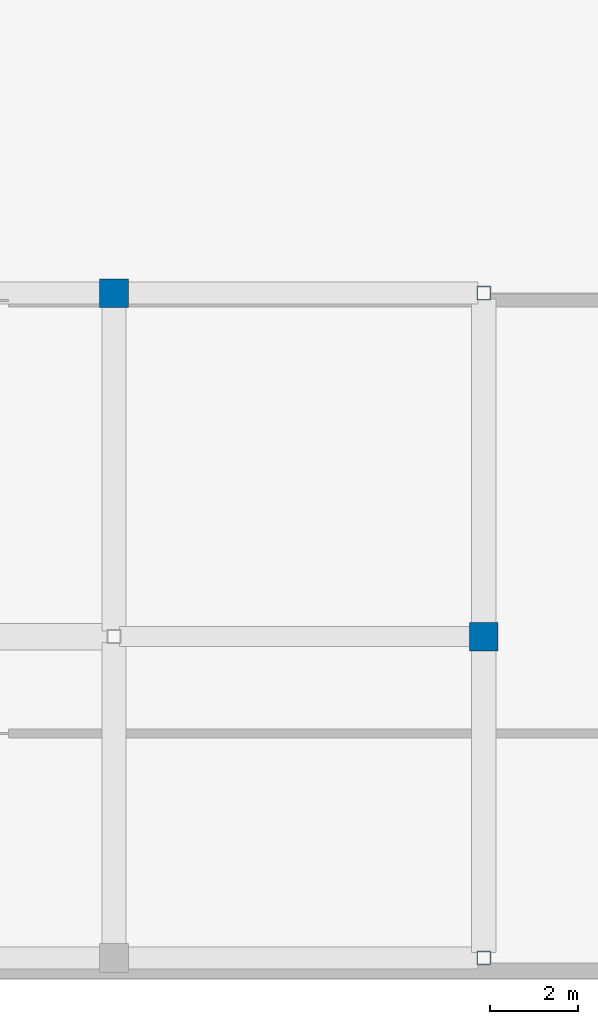
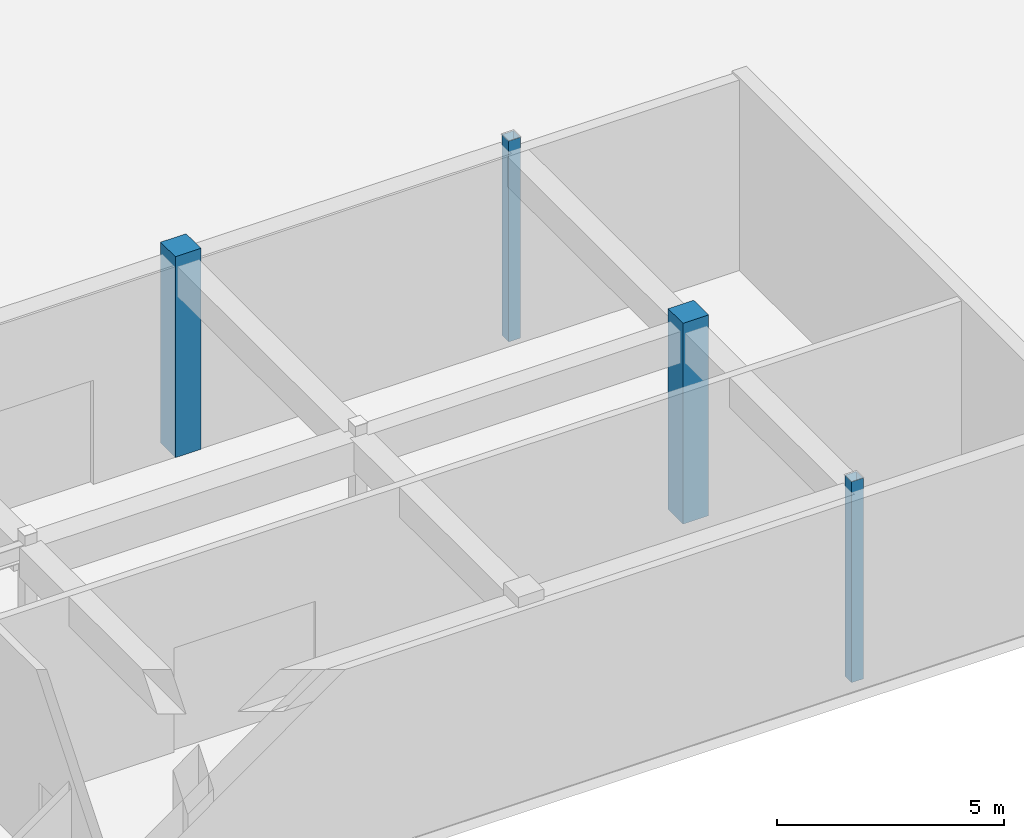
# One storey, part 5 of 148: 4 columns.
"""IFC4 building model written with IfcOpenShell, lengths in metres."""

from ifc_helpers import new_model, si_unit, direction, frame, origin, origin_2d, place, context, subcontext, project, spatial, rectangle, hollow_rectangle, extrude, material, material_profile, profile_set, type_object, element, save


model = new_model("IFC4")

# Units and contexts
model_context = context("Model", 3, precision=1e-05, world=origin(), true_north=direction((0.0, 1.0)))
body_context = subcontext(model_context, "Body", "Model", "MODEL_VIEW")
ifc_project = project(units=[si_unit("LENGTHUNIT", "METRE"), si_unit("AREAUNIT", "SQUARE_METRE"), si_unit("VOLUMEUNIT", "CUBIC_METRE"), si_unit("PLANEANGLEUNIT", "RADIAN"), si_unit("MASSUNIT", "GRAM", prefix="KILO")], contexts=[model_context])

# Site, building, storey
site_placement = place(None, origin())
site = spatial("IfcSite", under=ifc_project, at=site_placement, CompositionType="ELEMENT")
building_placement = place(site_placement, origin())
building = spatial("IfcBuilding", under=site, at=building_placement, Name="Quendrovan Civic Courthouse", CompositionType="ELEMENT")
storey_placement = place(building_placement, origin())
storey = spatial("IfcBuildingStorey", under=building, at=storey_placement, Name="L01", CompositionType="ELEMENT", Elevation=0.0)

# Columns
ifc_material_1 = material(Name="Concrete C45/55", Category="concrete")
ifc_material_profile_1 = material_profile(ifc_material_1, rectangle(XDim=0.64990234375, YDim=0.64990234375, at=origin_2d()), Name="RC-COL-650x650")
ifc_profile_set_1 = profile_set([ifc_material_profile_1], Name="Concrete C45/55")
column_type_1 = type_object("IfcColumnType", Name="COL-RC650", PredefinedType="COLUMN", material=ifc_profile_set_1)
for number, where, z_axis, x_axis, name in (
    (1, (100.800048828125, 15.60009765625, 0.0), (0.0, 0.0, 1.0), (1.0, 0.0, 0.0), "L01 Column 13-C"),
    (2, (109.199951171875, 7.800048828125, 0.0), (0.0, 0.0, 1.0), (1.0, 0.0, 0.0), "L01 Column 14-B"),
):
    element("IfcColumn", number, at=place(storey_placement, frame(where, z_axis=z_axis, x_axis=x_axis)), inside=storey, type_object=column_type_1, Name=name, PredefinedType="COLUMN", context=body_context, shape_type="SweptSolid", body=[
        extrude(rectangle(XDim=0.64990234375, YDim=0.64990234375, at=origin_2d()), origin(), (0.0, 0.0, 1.0), 5.39990234375),
    ])
ifc_material_2 = material(Name="Steel ASTM A500 Grade C", Category="steel")
ifc_material_profile_2 = material_profile(ifc_material_2, hollow_rectangle(XDim=0.300048828125, YDim=0.300048828125, WallThickness=0.011962890625, at=origin_2d()), Name="HSS300x300x12")
ifc_profile_set_2 = profile_set([ifc_material_profile_2], Name="Steel ASTM A500 Grade C")
column_type_2 = type_object("IfcColumnType", Name="COL-STL-HSS300S", PredefinedType="COLUMN", material=ifc_profile_set_2)
for number, where, z_axis, x_axis, name in (
    (3, (109.199951171875, 0.5, 0.0), (0.0, 0.0, 1.0), (1.0, 0.0, 0.0), "L01 Column 14-A"),
    (4, (109.199951171875, 15.60009765625, 0.0), (0.0, 0.0, 1.0), (1.0, 0.0, 0.0), "L01 Column 14-C"),
):
    element("IfcColumn", number, at=place(storey_placement, frame(where, z_axis=z_axis, x_axis=x_axis)), inside=storey, type_object=column_type_2, Name=name, PredefinedType="COLUMN", context=body_context, shape_type="SweptSolid", body=[
        extrude(hollow_rectangle(XDim=0.300048828125, YDim=0.300048828125, WallThickness=0.011962890625, at=origin_2d()), origin(), (0.0, 0.0, 1.0), 5.39990234375),
    ])

save(model, "model.ifc")
